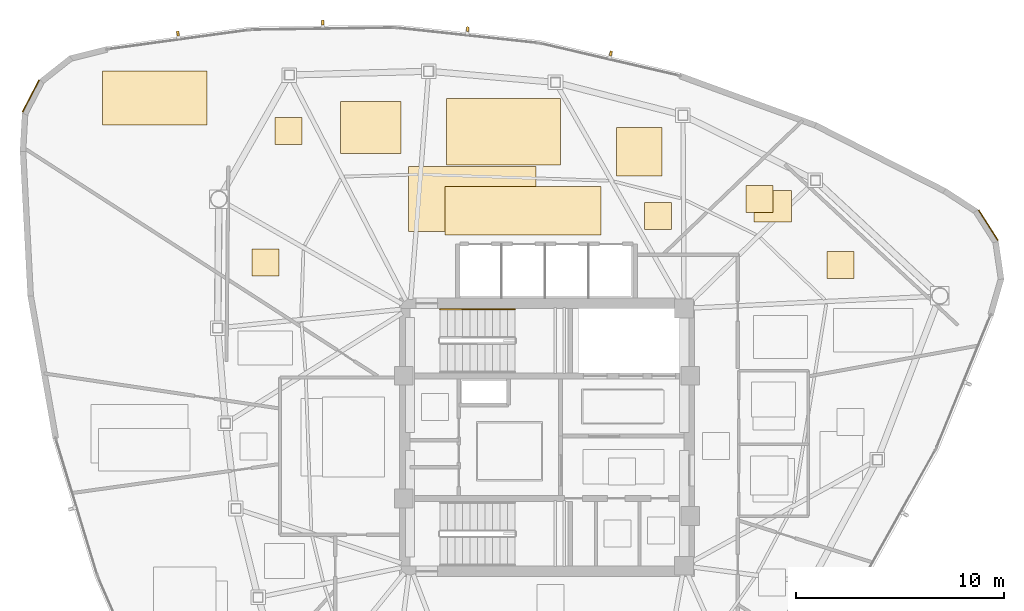
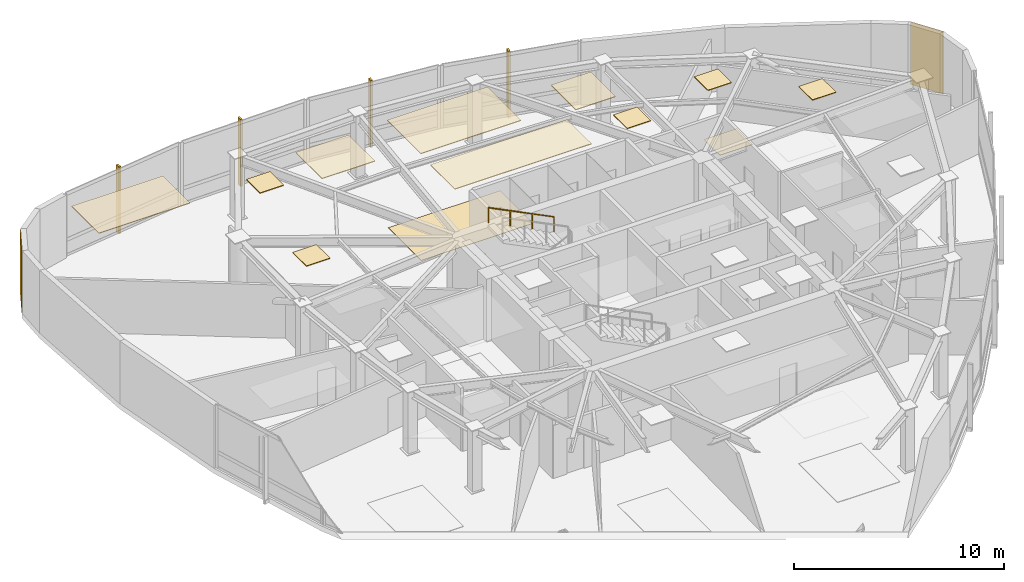
# One storey, part 14 of 14: 14 coverings, 4 shading devices, 1 railing.
"""IFC4 building model written with IfcOpenShell, lengths in metres."""

from ifc_helpers import new_model, si_unit, direction, frame, origin, origin_2d, place, context, subcontext, project, spatial, polyline, rectangle, outline, extrude, source, transform, mapped, material, layer, layer_set, type_object, type_shapes, element, save


model = new_model("IFC4")

# Units and contexts
model_context = context("Model", 3, precision=1e-05, world=origin(), true_north=direction((0.0, 1.0)))
body_context = subcontext(model_context, "Body", "Model", "MODEL_VIEW")
ifc_project = project(units=[si_unit("LENGTHUNIT", "METRE"), si_unit("AREAUNIT", "SQUARE_METRE"), si_unit("VOLUMEUNIT", "CUBIC_METRE"), si_unit("PLANEANGLEUNIT", "RADIAN"), si_unit("MASSUNIT", "GRAM", prefix="KILO")], contexts=[model_context])

# Site, building, storey
site_placement = place(None, origin())
site = spatial("IfcSite", under=ifc_project, at=site_placement, CompositionType="ELEMENT")
building_placement = place(site_placement, origin())
building = spatial("IfcBuilding", under=site, at=building_placement, Name="Tavelor Broadcast Tower", CompositionType="ELEMENT")
storey_placement = place(building_placement, frame((0.0, 0.0, 253.75)))
storey = spatial("IfcBuildingStorey", under=building, at=storey_placement, Name="L60", CompositionType="ELEMENT", Elevation=253.75)

# Coverings
ifc_material_1 = material(Name="Copper-Bronze Anodized Aluminium", Category="aluminium")
ifc_layer_1 = layer(ifc_material_1, 0.050048828125)
ifc_layer_set_1 = layer_set([ifc_layer_1], Name="Copper-Bronze Anodized Aluminium")
covering_type_1 = type_object("IfcCoveringType", Name="Champagne-Bronze Corner Pier Metal Cladding 50 mm", PredefinedType="CLADDING", material=ifc_layer_set_1)
for number, where, z_axis, x_axis, name in (
    (1, (25.1435546875, 61.4208984375, 0.02001953125), (0.0, 0.0, 1.0), (-0.460974374535, -0.887413447059, 0.0), "L60 Champagne-Bronze Corner Cladding 03"),
    (2, (71.249267578125, 55.197998046875, 0.02001953125), (0.0, 0.0, 1.0), (-0.538035401546, 0.842922242371, 0.0), "L60 Champagne-Bronze Corner Cladding 23"),
):
    element("IfcCovering", number, at=place(storey_placement, frame(where, z_axis=z_axis, x_axis=x_axis)), inside=storey, type_object=covering_type_1, Name=name, PredefinedType="CLADDING", context=body_context, shape_type="SweptSolid", body=[
        extrude(rectangle(XDim=1.734619140625, YDim=0.050048828125, at=origin_2d()), origin(), (0.0, 0.0, 1.0), 3.610107421875),
    ])

# Railing
ifc_material_2 = material(Name="Steel S355", Category="steel")
railing_type = type_object("IfcRailingType", Name="Continuous Brushed Stainless Handrail 900 mm", PredefinedType="HANDRAIL", material=ifc_material_2)
railing_placement = place(storey_placement, frame((48.449951171875, 51.14990234375, 2.154541015625)))
element("IfcRailing", 3, at=railing_placement, inside=storey, type_object=railing_type, Name="L60 ST1 stair handrail 2", PredefinedType="HANDRAIL", context=body_context, shape_type="SweptSolid", body=[
    extrude(rectangle(XDim=0.048095703125, YDim=0.048095703125, at=origin_2d()), frame((0.0, 0.0, 0.8759765625), z_axis=(-0.894875846893, 0.0, 0.446315156192), x_axis=(0.0, -1.0, 0.0)), (0.0, 0.0, 1.0), 4.022705078125),
    extrude(rectangle(XDim=0.0419921875, YDim=0.0419921875, at=origin_2d()), origin(), (0.0, 0.0, 1.0), 0.851806640625),
    extrude(rectangle(XDim=0.0419921875, YDim=0.0419921875, at=origin_2d()), frame((-1.199951171875, 0.0, 0.598388671875)), (0.0, 0.0, 1.0), 0.851806640625),
    extrude(rectangle(XDim=0.0419921875, YDim=0.0419921875, at=origin_2d()), frame((-2.39990234375, 0.0, 1.197021484375)), (0.0, 0.0, 1.0), 0.851806640625),
    extrude(rectangle(XDim=0.0419921875, YDim=0.0419921875, at=origin_2d()), frame((-3.599853515625, 0.0, 1.79541015625)), (0.0, 0.0, 1.0), 0.851806640625),
])

# Coverings
ifc_material_3 = material(Name="Acoustic Nylon Carpet Tile")
ifc_layer_2 = layer(ifc_material_3, 0.02001953125)
ifc_layer_set_2 = layer_set([ifc_layer_2], Name="Acoustic Nylon Carpet Tile")
covering_type_2 = type_object("IfcCoveringType", Name="Heavy-Duty Acoustic Broadcast Carpet Tile 20 mm", PredefinedType="FLOORING", material=ifc_layer_set_2)
covering_1_placement = place(storey_placement, origin())
element("IfcCovering", 4, at=covering_1_placement, inside=storey, type_object=covering_type_2, Name="L60 Broadcast Floor Finish 0890", PredefinedType="FLOORING", context=body_context, shape_type="SweptSolid", body=[
    extrude(outline(polyline([(43.328857421875, 54.8994140625), (49.46923828125, 54.8994140625), (49.46923828125, 58.0419921875), (43.328857421875, 58.0419921875), (43.328857421875, 54.8994140625)])), origin(), (0.0, 0.0, 1.0), 0.02001953125),
])
covering_2_placement = place(storey_placement, origin())
element("IfcCovering", 5, at=covering_2_placement, inside=storey, type_object=covering_type_2, Name="L60 Broadcast Floor Finish 0891", PredefinedType="FLOORING", context=body_context, shape_type="SweptSolid", body=[
    extrude(outline(polyline([(59.9755859375, 55.354248046875), (61.781982421875, 55.354248046875), (61.781982421875, 56.871337890625), (59.9755859375, 56.871337890625), (59.9755859375, 55.354248046875)])), origin(), (0.0, 0.0, 1.0), 0.02001953125),
])
ifc_material_4 = material(Name="Acoustic Mineral Fibre Tile")
ifc_layer_3 = layer(ifc_material_4, 0.0400390625)
ifc_layer_set_3 = layer_set([ifc_layer_3], Name="Acoustic Mineral Fibre Tile")
covering_type_3 = type_object("IfcCoveringType", Name="Suspended Acoustic Mineral-Fibre Office Ceiling 40 mm", PredefinedType="CEILING", material=ifc_layer_set_3)
covering_3_placement = place(storey_placement, frame((0.0, 0.0, 3.610107421875)))
element("IfcCovering", 6, at=covering_3_placement, inside=storey, type_object=covering_type_3, Name="L60 Suspended Acoustic Ceiling 2359", PredefinedType="CEILING", context=body_context, shape_type="SweptSolid", body=[
    extrude(outline(polyline([(28.59765625, 60.037109375), (33.613525390625, 60.037109375), (33.613525390625, 62.622314453125), (28.59765625, 62.622314453125), (28.59765625, 60.037109375)])), origin(), (0.0, 0.0, 1.0), 0.039794921875),
])
covering_4_placement = place(storey_placement, frame((0.0, 0.0, 3.610107421875)))
element("IfcCovering", 7, at=covering_4_placement, inside=storey, type_object=covering_type_3, Name="L60 Suspended Acoustic Ceiling 2360", PredefinedType="CEILING", context=body_context, shape_type="SweptSolid", body=[
    extrude(outline(polyline([(54.68359375, 54.99951171875), (55.983642578125, 54.99951171875), (55.983642578125, 56.29931640625), (54.68359375, 56.29931640625), (54.68359375, 54.99951171875)])), origin(), (0.0, 0.0, 1.0), 0.039794921875),
])
covering_5_placement = place(storey_placement, frame((0.0, 0.0, 3.610107421875)))
element("IfcCovering", 8, at=covering_5_placement, inside=storey, type_object=covering_type_3, Name="L60 Suspended Acoustic Ceiling 2361", PredefinedType="CEILING", context=body_context, shape_type="SweptSolid", body=[
    extrude(outline(polyline([(45.0771484375, 54.745849609375), (52.59130859375, 54.745849609375), (52.59130859375, 57.0673828125), (45.0771484375, 57.0673828125), (45.0771484375, 54.745849609375)])), origin(), (0.0, 0.0, 1.0), 0.039794921875),
])
covering_6_placement = place(storey_placement, frame((0.0, 0.0, 3.610107421875)))
element("IfcCovering", 9, at=covering_6_placement, inside=storey, type_object=covering_type_3, Name="L60 Suspended Acoustic Ceiling 2362", PredefinedType="CEILING", context=body_context, shape_type="SweptSolid", body=[
    extrude(outline(polyline([(35.7841796875, 52.7509765625), (37.084228515625, 52.7509765625), (37.084228515625, 54.05078125), (35.7841796875, 54.05078125), (35.7841796875, 52.7509765625)])), origin(), (0.0, 0.0, 1.0), 0.039794921875),
])
covering_7_placement = place(storey_placement, frame((0.0, 0.0, 3.610107421875)))
element("IfcCovering", 10, at=covering_7_placement, inside=storey, type_object=covering_type_3, Name="L60 Suspended Acoustic Ceiling 2363", PredefinedType="CEILING", context=body_context, shape_type="SweptSolid", body=[
    extrude(outline(polyline([(36.900390625, 59.094482421875), (38.2001953125, 59.094482421875), (38.2001953125, 60.39453125), (36.900390625, 60.39453125), (36.900390625, 59.094482421875)])), origin(), (0.0, 0.0, 1.0), 0.039794921875),
])
covering_8_placement = place(storey_placement, frame((0.0, 0.0, 3.610107421875)))
element("IfcCovering", 11, at=covering_8_placement, inside=storey, type_object=covering_type_3, Name="L60 Suspended Acoustic Ceiling 2364", PredefinedType="CEILING", context=body_context, shape_type="SweptSolid", body=[
    extrude(outline(polyline([(53.34716796875, 57.56591796875), (55.541259765625, 57.56591796875), (55.541259765625, 59.923583984375), (53.34716796875, 59.923583984375), (53.34716796875, 57.56591796875)])), origin(), (0.0, 0.0, 1.0), 0.039794921875),
])
covering_9_placement = place(storey_placement, frame((0.0, 0.0, 3.610107421875)))
element("IfcCovering", 12, at=covering_9_placement, inside=storey, type_object=covering_type_3, Name="L60 Suspended Acoustic Ceiling 2365", PredefinedType="CEILING", context=body_context, shape_type="SweptSolid", body=[
    extrude(outline(polyline([(45.152587890625, 58.102783203125), (50.654541015625, 58.102783203125), (50.654541015625, 61.3037109375), (45.152587890625, 61.3037109375), (45.152587890625, 58.102783203125)])), origin(), (0.0, 0.0, 1.0), 0.039794921875),
])
covering_10_placement = place(storey_placement, frame((0.0, 0.0, 3.610107421875)))
element("IfcCovering", 13, at=covering_10_placement, inside=storey, type_object=covering_type_3, Name="L60 Suspended Acoustic Ceiling 2366", PredefinedType="CEILING", context=body_context, shape_type="SweptSolid", body=[
    extrude(outline(polyline([(40.0498046875, 58.655029296875), (42.9560546875, 58.655029296875), (42.9560546875, 61.15478515625), (40.0498046875, 61.15478515625), (40.0498046875, 58.655029296875)])), origin(), (0.0, 0.0, 1.0), 0.039794921875),
])
covering_11_placement = place(storey_placement, frame((0.0, 0.0, 3.610107421875)))
element("IfcCovering", 14, at=covering_11_placement, inside=storey, type_object=covering_type_3, Name="L60 Suspended Acoustic Ceiling 2367", PredefinedType="CEILING", context=body_context, shape_type="SweptSolid", body=[
    extrude(outline(polyline([(59.59033203125, 55.8173828125), (60.890380859375, 55.8173828125), (60.890380859375, 57.1171875), (59.59033203125, 57.1171875), (59.59033203125, 55.8173828125)])), origin(), (0.0, 0.0, 1.0), 0.039794921875),
])
covering_12_placement = place(storey_placement, frame((0.0, 0.0, 3.610107421875)))
element("IfcCovering", 15, at=covering_12_placement, inside=storey, type_object=covering_type_3, Name="L60 Suspended Acoustic Ceiling 2368", PredefinedType="CEILING", context=body_context, shape_type="SweptSolid", body=[
    extrude(outline(polyline([(63.491455078125, 52.640869140625), (64.79150390625, 52.640869140625), (64.79150390625, 53.94091796875), (63.491455078125, 53.94091796875), (63.491455078125, 52.640869140625)])), origin(), (0.0, 0.0, 1.0), 0.039794921875),
])

# Shading devices
ifc_material_5 = material(Name="Kiln-Fired Glazed Terracotta", Category="masonry")
shading_device_type = type_object("IfcShadingDeviceType", Name="Extruded Terracotta Baguette Sun-Screen 110x240", PredefinedType="JALOUSIE", material=ifc_material_5)
shared_shape = source(origin(), body_context, "Body", "SweptSolid", [
    extrude(rectangle(XDim=0.110107421875, YDim=0.239990234375, at=origin_2d()), origin(), (0.0, 0.0, 1.0), 3.889892578125),
])
type_shapes(shading_device_type, [shared_shape])
for number, where, z_axis, x_axis, name in (
    (16, (53.070068359375, 63.4794921875, -0.259765625), (0.0, 0.0, 1.0), (-0.974055024171, 0.226311311886, 0.0), "L60 Terracotta Baguette Fin 633"),
    (17, (46.17822265625, 64.645263671875, -0.259765625), (0.0, 0.0, 1.0), (-0.994300790397, 0.106611154275, 0.0), "L60 Terracotta Baguette Fin 634"),
    (18, (39.19580078125, 64.968505859375, -0.259765625), (0.0, 0.0, 1.0), (-0.999895076365, -0.014485726139, 0.0), "L60 Terracotta Baguette Fin 635"),
    (19, (32.2255859375, 64.444091796875, -0.259765625), (0.0, 0.0, 1.0), (-0.990795153782, -0.135369727936, 0.0), "L60 Terracotta Baguette Fin 636"),
):
    element("IfcShadingDevice", number, at=place(storey_placement, frame(where, z_axis=z_axis, x_axis=x_axis)), inside=storey, type_object=shading_device_type, Name=name, PredefinedType="JALOUSIE", context=body_context, shape_type="MappedRepresentation", body=[
        mapped(shared_shape, transform((0.0, 0.0, 0.0), scale=1.0)),
    ])

save(model, "model.ifc")
